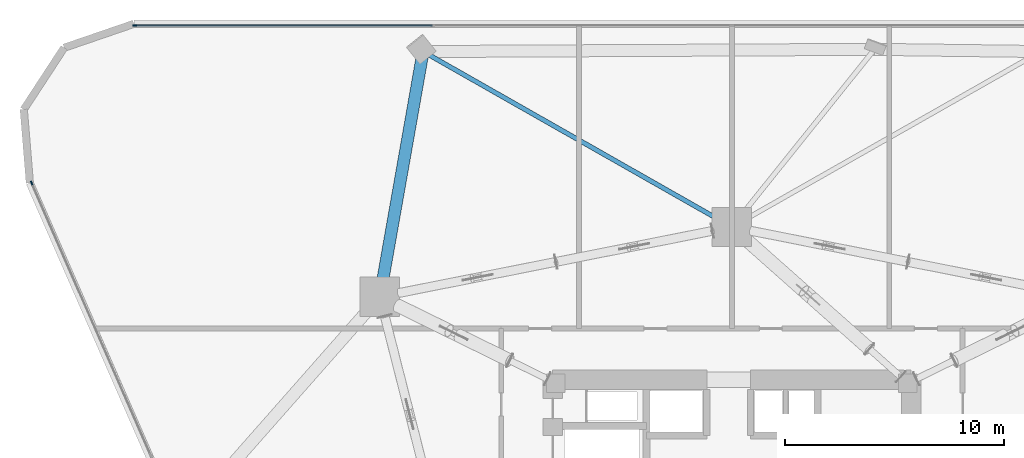
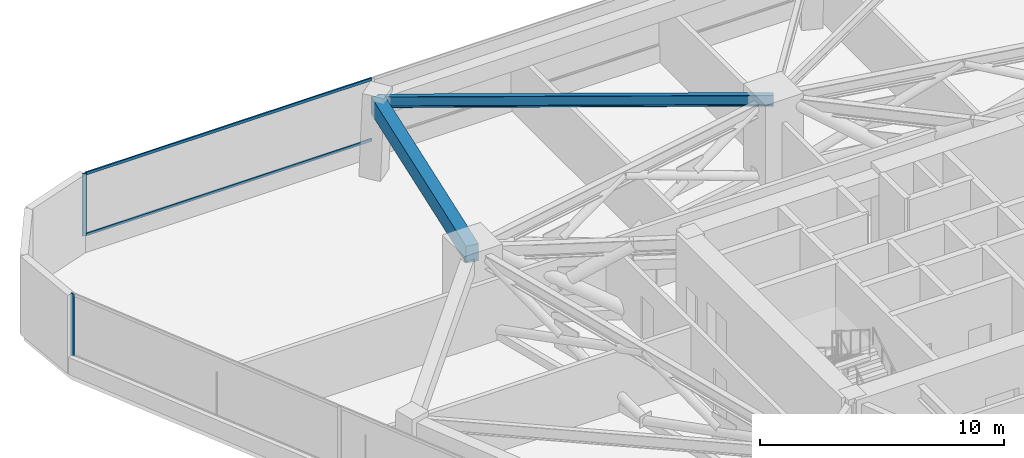
# One storey, part 12 of 20: 4 members, 2 beams, 2 elements without a shape of their own.
"""IFC4 building model written with IfcOpenShell, lengths in metres."""

from ifc_helpers import new_model, si_unit, direction, frame, origin, origin_2d, place, context, subcontext, project, spatial, rectangle, i_section, extrude, material, layer, layer_set, material_profile, profile_set, type_object, element, aggregate, save


model = new_model("IFC4")

# Units and contexts
model_context = context("Model", 3, precision=1e-05, world=origin(), true_north=direction((0.0, 1.0)))
body_context = subcontext(model_context, "Body", "Model", "MODEL_VIEW")
ifc_project = project(units=[si_unit("LENGTHUNIT", "METRE"), si_unit("AREAUNIT", "SQUARE_METRE"), si_unit("VOLUMEUNIT", "CUBIC_METRE"), si_unit("PLANEANGLEUNIT", "RADIAN"), si_unit("MASSUNIT", "GRAM", prefix="KILO")], contexts=[model_context])

# Site, building, storey
site_placement = place(None, origin())
site = spatial("IfcSite", under=ifc_project, at=site_placement, CompositionType="ELEMENT")
building_placement = place(site_placement, origin())
building = spatial("IfcBuilding", under=site, at=building_placement, Name="Talyreon Biosciences Tower", CompositionType="ELEMENT")
storey_placement = place(building_placement, frame((0.0, 0.0, 70.800048828125)))
storey = spatial("IfcBuildingStorey", under=building, at=storey_placement, Name="L18", CompositionType="ELEMENT", Elevation=70.800048828125)

# Curtain wall, member
ifc_material_1 = material(Name="Thermally broken aluminium and low-E glazing", Category="aluminium")
ifc_layer = layer(ifc_material_1, 0.195068359375)
ifc_layer_set = layer_set([ifc_layer], Name="Thermally broken aluminium and low-E glazing")
curtain_wall_type = type_object("IfcCurtainWallType", Name="CurtainWall_Zone1WetLab", PredefinedType="NOTDEFINED", material=ifc_layer_set)
curtain_wall_1_placement = place(storey_placement, origin())
curtain_wall_1 = element("IfcCurtainWall", 1, at=curtain_wall_1_placement, inside=storey, type_object=curtain_wall_type, Name="L18 Unitised Curtain Wall FCW-L18-00", PredefinedType="NOTDEFINED")
ifc_material_2 = material(Name="Anodised thermally broken aluminium", Category="aluminium")
ifc_material_profile_1 = material_profile(ifc_material_2, rectangle(XDim=0.06494140625, YDim=0.179931640625, at=origin_2d()), Name="ALUM MULLION 65x180")
ifc_profile_set_1 = profile_set([ifc_material_profile_1], Name="Anodised thermally broken aluminium")
member_type_1 = type_object("IfcMemberType", Name="CWMullion_65x180", PredefinedType="MULLION", material=ifc_profile_set_1)
member_1_placement = place(storey_placement, frame((33.972412109375, 83.804931640625, 0.81005859375), z_axis=(0.0, 0.0, 1.0), x_axis=(-0.916151953082, -0.400831135099, 0.0)))
member_1 = element("IfcMember", 2, at=member_1_placement, type_object=member_type_1, Name="CW2 mullion 6", PredefinedType="MULLION", context=body_context, shape_type="SweptSolid", body=[
    extrude(rectangle(XDim=0.06494140625, YDim=0.179931640625, at=origin_2d()), origin(), (0.0, 0.0, 1.0), 3.114990234375),
])
aggregate(curtain_wall_1, [member_1])

# Curtain wall, members
curtain_wall_2_placement = place(storey_placement, origin())
curtain_wall_2 = element("IfcCurtainWall", 3, at=curtain_wall_2_placement, inside=storey, type_object=curtain_wall_type, Name="L18 Unitised Curtain Wall FCW-L18-04", PredefinedType="NOTDEFINED")
member_2_placement = place(storey_placement, frame((38.6826171875, 91.007080078125, 0.81005859375), z_axis=(0.0, 0.0, 1.0), x_axis=(0.0, 1.0, 0.0)))
member_2 = element("IfcMember", 4, at=member_2_placement, type_object=member_type_1, Name="CW2 mullion 1", PredefinedType="MULLION", context=body_context, shape_type="SweptSolid", body=[
    extrude(rectangle(XDim=0.06494140625, YDim=0.179931640625, at=origin_2d()), origin(), (0.0, 0.0, 1.0), 3.114990234375),
])
ifc_material_profile_2 = material_profile(ifc_material_2, rectangle(XDim=0.06494140625, YDim=0.139892578125, at=origin_2d()), Name="ALUM TRANSOM 65x140")
ifc_profile_set_2 = profile_set([ifc_material_profile_2], Name="Anodised thermally broken aluminium")
member_type_2 = type_object("IfcMemberType", Name="CWTransom_65x140", PredefinedType="USERDEFINED", material=ifc_profile_set_2)
member_3_placement = place(storey_placement, frame((38.715087890625, 91.007080078125, 0.842529296875), z_axis=(1.0, 0.0, 0.0), x_axis=(0.0, 1.0, 0.0)))
member_3 = element("IfcMember", 5, at=member_3_placement, type_object=member_type_2, Name="CW2 transom 1.1", ObjectType="TRANSOM", PredefinedType="USERDEFINED", context=body_context, shape_type="SweptSolid", body=[
    extrude(rectangle(XDim=0.06494140625, YDim=0.139892578125, at=origin_2d()), origin(), (0.0, 0.0, 1.0), 13.577392578125),
])
member_4_placement = place(storey_placement, frame((38.715087890625, 91.007080078125, 3.892333984375), z_axis=(1.0, 0.0, 0.0), x_axis=(0.0, 1.0, 0.0)))
member_4 = element("IfcMember", 6, at=member_4_placement, type_object=member_type_2, Name="CW2 transom 1.2", ObjectType="TRANSOM", PredefinedType="USERDEFINED", context=body_context, shape_type="SweptSolid", body=[
    extrude(rectangle(XDim=0.06494140625, YDim=0.139892578125, at=origin_2d()), origin(), (0.0, 0.0, 1.0), 13.577392578125),
])
aggregate(curtain_wall_2, [member_2, member_3, member_4])

# Beams
ifc_material_3 = material(Name="Precast concrete C45/55", Category="concrete")
ifc_material_profile_3 = material_profile(ifc_material_3, rectangle(XDim=0.550048828125, YDim=0.85009765625, at=origin_2d()), Name="RCB 550x850")
ifc_profile_set_3 = profile_set([ifc_material_profile_3], Name="Precast concrete C45/55")
beam_type_1 = type_object("IfcBeamType", Name="ExpressedSpandrel_550x850", PredefinedType="SPANDREL", material=ifc_profile_set_3)
beam_1_placement = place(storey_placement, frame((51.8759765625, 89.814697265625, 3.5), z_axis=(-0.173697286663, -0.984799092509, 0.0), x_axis=(0.984799092509, -0.173697286663, 0.0)))
element("IfcBeam", 7, at=beam_1_placement, inside=storey, type_object=beam_type_1, Name="L18 Expressed Horizontal Concrete Spandrel 08", PredefinedType="SPANDREL", context=body_context, shape_type="SweptSolid", body=[
    extrude(rectangle(XDim=0.550048828125, YDim=0.85009765625, at=origin_2d()), origin(), (0.0, 0.0, 1.0), 11.38916015625),
])
ifc_material_4 = material(Name="Steel SM355", Category="steel")
ifc_material_profile_4 = material_profile(ifc_material_4, i_section(OverallWidth=0.2099609375, OverallDepth=0.550048828125, WebThickness=0.010986328125, FlangeThickness=0.01708984375, FilletRadius=0.02392578125, at=origin_2d()), Name="IPE550")
ifc_profile_set_4 = profile_set([ifc_material_profile_4], Name="Steel SM355")
beam_type_2 = type_object("IfcBeamType", Name="SteelJoist_IPE550", PredefinedType="JOIST", material=ifc_profile_set_4)
beam_2_placement = place(storey_placement, frame((66.0, 81.788818359375, 3.64990234375), z_axis=(-0.86943367029, 0.494049686737, 0.0), x_axis=(-0.494049686737, -0.86943367029, 0.0)))
element("IfcBeam", 8, at=beam_2_placement, inside=storey, type_object=beam_type_2, Name="L18 Radial Composite Floor Joist PC-N2", PredefinedType="JOIST", context=body_context, shape_type="SweptSolid", body=[
    extrude(i_section(OverallWidth=0.2099609375, OverallDepth=0.550048828125, WebThickness=0.010986328125, FlangeThickness=0.01708984375, FilletRadius=0.02392578125, at=origin_2d()), origin(), (0.0, 0.0, 1.0), 16.2451171875),
])

save(model, "model.ifc")
